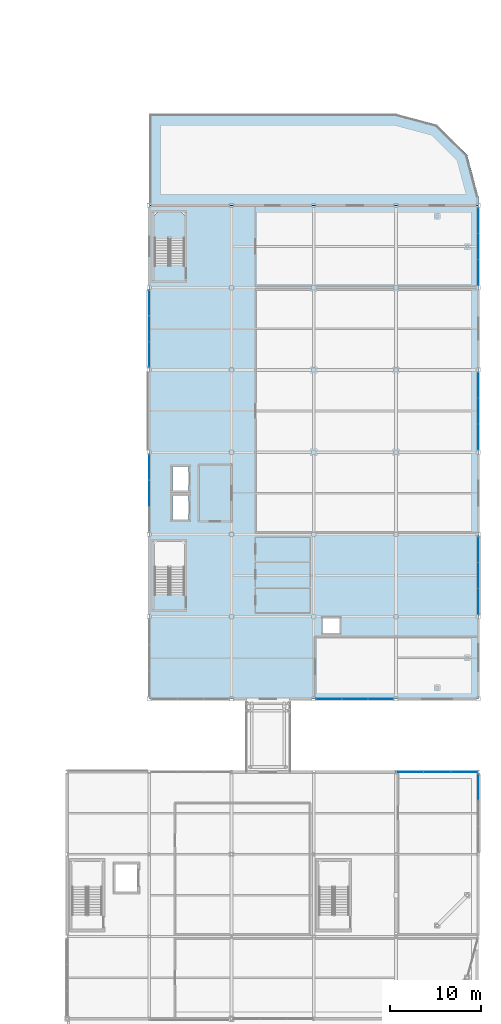
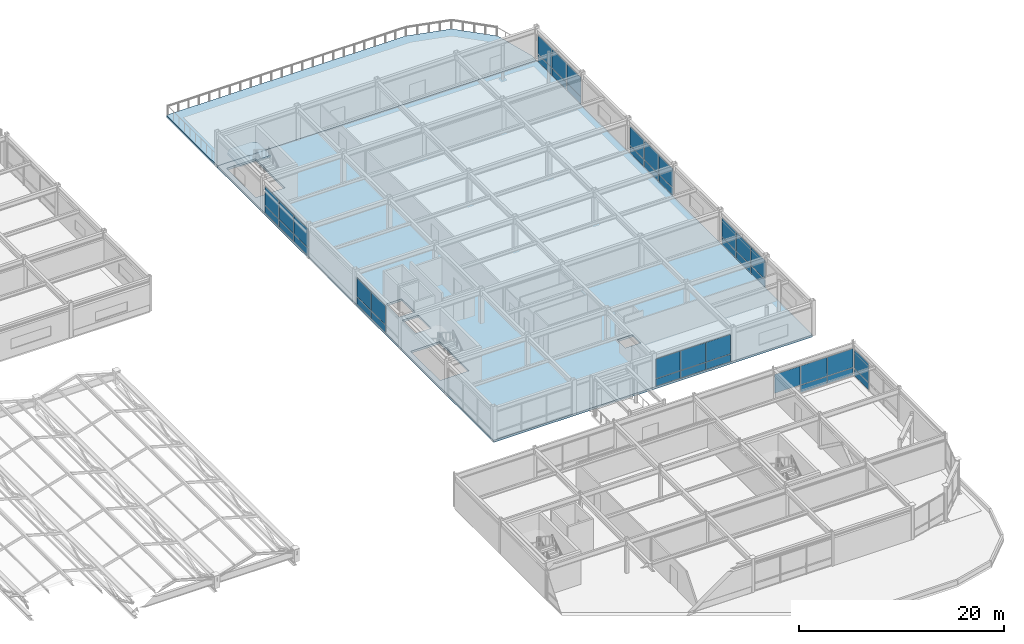
# One storey, part 68 of 108: 41 plates, 3 slabs, 9 elements without a shape of their own.
"""IFC4 building model written with IfcOpenShell, lengths in metres."""

import ifcopenshell
import ifcopenshell.guid

model = None  # the IFC model being written
_history = None  # IfcOwnerHistory: only IFC2X3 demands one
_inside = {}  # id of a spatial element -> (the spatial element, [elements in it])
_under = {}  # id of a project, library or spatial element -> (it, [spatial elements below it])
_declared = {}  # id of a project -> (the project, [libraries it declares])
_typed = {}  # id of a type object -> (the type object, [elements of that type])
_made_of = {}  # id of a material, layer set ... -> (it, [elements and type objects made of it])


def new_model(schema):
    """Start an empty IFC model of exactly this schema.

    Asked for "IFC4X3", IfcOpenShell would pick the latest addendum, in which some entities
    have other attributes; the version numbers below select the first issue.
    IFC2X3 requires an IfcOwnerHistory on every rooted entity: one is made here for all.
    """
    global model, _history
    if schema == "IFC4X3":
        model = ifcopenshell.file(schema_version=(4, 3, 0, 0))
    else:
        model = ifcopenshell.file(schema=schema)
    _inside.clear()
    _under.clear()
    _declared.clear()
    _typed.clear()
    _made_of.clear()
    _history = None
    if model.schema == "IFC2X3":
        org = make("IfcOrganization", Name="unknown")
        user = make(
            "IfcPersonAndOrganization",
            ThePerson=make("IfcPerson", FamilyName="unknown"),
            TheOrganization=org,
        )
        app = make(
            "IfcApplication",
            ApplicationDeveloper=org,
            Version="unknown",
            ApplicationFullName="unknown",
            ApplicationIdentifier="unknown",
        )
        _history = make(
            "IfcOwnerHistory",
            OwningUser=user,
            OwningApplication=app,
            ChangeAction="ADDED",
            CreationDate=0,
        )
    return model


def make(cls, **values):
    """One entity of the class cls with the attributes given. An attribute that is None is left unset."""
    return model.create_entity(
        cls, **{name: value for name, value in values.items() if value is not None}
    )


def rooted(cls, **values):
    """An entity with a GlobalId (a new one), such as an element, a storey or a relation."""
    return make(cls, GlobalId=ifcopenshell.guid.new(), OwnerHistory=_history, **values)


def si_unit(unit_type, name, prefix=None):
    """IfcSIUnit, for example si_unit("LENGTHUNIT", "METRE", prefix="MILLI")."""
    return make("IfcSIUnit", UnitType=unit_type, Prefix=prefix, Name=name)


def assignment(units):
    """IfcUnitAssignment: the units of a project."""
    return None if units is None else make("IfcUnitAssignment", Units=units)


def point(xyz):
    """IfcCartesianPoint."""
    return None if xyz is None else make("IfcCartesianPoint", Coordinates=xyz)


def direction(xyz):
    """IfcDirection."""
    return None if xyz is None else make("IfcDirection", DirectionRatios=xyz)


def frame(location, z_axis=None, x_axis=None):
    """IfcAxis2Placement3D, a coordinate frame: its origin and axes. An axis left out is left unset."""
    return make(
        "IfcAxis2Placement3D",
        Location=point(location),
        Axis=direction(z_axis),
        RefDirection=direction(x_axis),
    )


def frame_2d(location, x_axis=None):
    """IfcAxis2Placement2D, a coordinate frame in the plane: its origin and x axis."""
    return make(
        "IfcAxis2Placement2D", Location=point(location), RefDirection=direction(x_axis)
    )


def origin():
    """The frame at (0, 0, 0) with its axes left unset."""
    return frame((0.0, 0.0, 0.0))


def origin_2d():
    """The frame at (0, 0) in the plane with its x axis left unset."""
    return frame_2d((0.0, 0.0))


def place(relative_to, where):
    """IfcLocalPlacement: puts the frame where relative to a parent placement (None: the world)."""
    return make(
        "IfcLocalPlacement", PlacementRelTo=relative_to, RelativePlacement=where
    )


def context(
    kind, dimensions, precision=None, world=None, true_north=None, identifier=None
):
    """IfcGeometricRepresentationContext, for example the 3D "Model" context."""
    return make(
        "IfcGeometricRepresentationContext",
        ContextIdentifier=identifier,
        ContextType=kind,
        CoordinateSpaceDimension=dimensions,
        Precision=precision,
        WorldCoordinateSystem=world,
        TrueNorth=true_north,
    )


def subcontext(parent, identifier, kind, view, scale=None):
    """IfcGeometricRepresentationSubContext, for example "Body" below "Model"."""
    return make(
        "IfcGeometricRepresentationSubContext",
        ContextIdentifier=identifier,
        ContextType=kind,
        ParentContext=parent,
        TargetScale=scale,
        TargetView=view,
    )


def project(units=None, contexts=None):
    """IfcProject with its units and contexts."""
    return rooted(
        "IfcProject",
        Name="project",
        RepresentationContexts=contexts,
        UnitsInContext=assignment(units),
    )


def spatial(cls, under=None, at=None, **own):
    """A site, building, storey or space (cls), placed at a placement, below another one or the project."""
    s = rooted(cls, ObjectPlacement=at, **own)
    if under is not None:
        _under.setdefault(under.id(), (under, []))[1].append(s)
    return s


def polyline(points):
    """IfcPolyline through the points."""
    return make("IfcPolyline", Points=[point(p) for p in points])


def profile(cls, at=None, kind="AREA", **sizes):
    """A parametric profile (cls). Its sizes go by their IFC names, for example OverallWidth=200.0."""
    return make(cls, ProfileType=kind, Position=at, **sizes)


def rectangle(**sizes):
    """IfcRectangleProfileDef."""
    return profile("IfcRectangleProfileDef", **sizes)


def outline(outer, holes=None, kind="AREA"):
    """IfcArbitraryClosedProfileDef: a profile drawn as a closed curve; with holes, ...WithVoids."""
    if holes is None:
        return make("IfcArbitraryClosedProfileDef", ProfileType=kind, OuterCurve=outer)
    return make(
        "IfcArbitraryProfileDefWithVoids",
        ProfileType=kind,
        OuterCurve=outer,
        InnerCurves=holes,
    )


def extrude(swept, where, along, depth):
    """IfcExtrudedAreaSolid: the profile swept, set in the frame where, extruded along a direction by depth."""
    return make(
        "IfcExtrudedAreaSolid",
        SweptArea=swept,
        Position=where,
        ExtrudedDirection=direction(along),
        Depth=depth,
    )


def shape(context_of_items, identifier, shape_type, items):
    """IfcShapeRepresentation: the items that make up one representation, for example the "Body"."""
    return make(
        "IfcShapeRepresentation",
        ContextOfItems=context_of_items,
        RepresentationIdentifier=identifier,
        RepresentationType=shape_type,
        Items=items,
    )


def material(Name=None, Category=None):
    """IfcMaterial."""
    return make("IfcMaterial", Name=Name, Category=Category)


def layer(
    of_material, thickness, ventilated=None, Name=None, Category=None, Priority=None
):
    """IfcMaterialLayer: one layer of a wall or slab, of a material (None: an air gap)."""
    return make(
        "IfcMaterialLayer",
        Material=of_material,
        LayerThickness=thickness,
        IsVentilated=ventilated,
        Name=Name,
        Category=Category,
        Priority=Priority,
    )


def layer_set(layers, Name=None):
    """IfcMaterialLayerSet."""
    return make("IfcMaterialLayerSet", MaterialLayers=layers, LayerSetName=Name)


def made_of(thing, what):
    """Note that an element or type object is made of a material, layer set ...; save() writes the relation."""
    if what is not None:
        _made_of.setdefault(what.id(), (what, []))[1].append(thing)
    return thing


def type_object(cls, material=None, **own):
    """A type object (cls), such as IfcWallType, which elements share."""
    return made_of(rooted(cls, **own), material)


def element(
    cls,
    number,
    at=None,
    inside=None,
    cuts=None,
    type_object=None,
    material=None,
    context=None,
    identifier="Body",
    shape_type=None,
    held_by="IfcProductDefinitionShape",
    body=None,
    shapes=None,
    **own,
):
    """One element of the class cls, such as IfcWall. Its Tag is "e" and its number.

    at: its placement. inside: the storey or other place that contains it. cuts: it is an
    opening in that element (IfcRelVoidsElement). A single representation is given by context,
    identifier, shape_type and body (its items); several are given by shapes. held_by: the class
    of the entity that holds the representations. save() writes the other relations.
    """
    e = rooted(cls, Tag="e%d" % number, ObjectPlacement=at, **own)
    if body is not None:
        shapes = [shape(context, identifier, shape_type, body)]
    if shapes is not None:
        e.Representation = make(held_by, Representations=shapes)
    if inside is not None:
        _inside.setdefault(inside.id(), (inside, []))[1].append(e)
    if cuts is not None:
        rooted(
            "IfcRelVoidsElement", RelatingBuildingElement=cuts, RelatedOpeningElement=e
        )
    if type_object is not None:
        _typed.setdefault(type_object.id(), (type_object, []))[1].append(e)
    return made_of(e, material)


def aggregate(whole, parts):
    """IfcRelAggregates: a whole, such as a stair, and the parts it consists of."""
    return rooted("IfcRelAggregates", RelatingObject=whole, RelatedObjects=parts)


def save(model, path):
    """Write the relations noted so far, then the file.

    IfcRelAggregates (storeys below a building ...), IfcRelContainedInSpatialStructure (elements
    in a storey), IfcRelDefinesByType, IfcRelAssociatesMaterial and IfcRelDeclares: one each for
    every whole, place, type object, material and project.
    """
    for whole, parts in _under.values():
        aggregate(whole, parts)
    for where, things in _inside.values():
        rooted(
            "IfcRelContainedInSpatialStructure",
            RelatedElements=things,
            RelatingStructure=where,
        )
    for kind, things in _typed.values():
        rooted("IfcRelDefinesByType", RelatedObjects=things, RelatingType=kind)
    for what, things in _made_of.values():
        rooted("IfcRelAssociatesMaterial", RelatedObjects=things, RelatingMaterial=what)
    for by, libraries in _declared.values():
        rooted("IfcRelDeclares", RelatingContext=by, RelatedDefinitions=libraries)
    model.write(path)


model = new_model("IFC4")

# Units and contexts
model_context = context("Model", 3, precision=1e-05, world=origin(), true_north=direction((0.0, 1.0)))
body_context = subcontext(model_context, "Body", "Model", "MODEL_VIEW")
ifc_project = project(units=[si_unit("LENGTHUNIT", "METRE"), si_unit("AREAUNIT", "SQUARE_METRE"), si_unit("VOLUMEUNIT", "CUBIC_METRE"), si_unit("PLANEANGLEUNIT", "RADIAN"), si_unit("MASSUNIT", "GRAM", prefix="KILO")], contexts=[model_context])

# Site, building, storey
site_placement = place(None, origin())
site = spatial("IfcSite", under=ifc_project, at=site_placement, CompositionType="ELEMENT")
building_placement = place(site_placement, origin())
building = spatial("IfcBuilding", under=site, at=building_placement, Name="Suzunagisa Mobility Hub", CompositionType="ELEMENT")
storey_placement = place(building_placement, frame((0.0, 0.0, 9.300048828125)))
storey = spatial("IfcBuildingStorey", under=building, at=storey_placement, Name="L02", CompositionType="ELEMENT", Elevation=9.300048828125)

# Slabs
ifc_material_1 = material(Name="Concrete C35/45", Category="concrete")
ifc_layer_1 = layer(ifc_material_1, 0.25)
ifc_layer_set_1 = layer_set([ifc_layer_1], Name="Concrete C35/45")
slab_type_1 = type_object("IfcSlabType", Name="Composite Slab SL-13 250mm", PredefinedType="FLOOR", material=ifc_layer_set_1)
slab_1_placement = place(storey_placement, frame((0.0, 0.0, -0.25)))
element("IfcSlab", 1, at=slab_1_placement, inside=storey, type_object=slab_type_1, Name="L02 V6N Floor Slab", PredefinedType="FLOOR", context=body_context, shape_type="SweptSolid", body=[
    extrude(outline(polyline([(144.0, 44.0), (180.0, 44.0), (180.0, 98.0), (144.0, 98.0), (144.0, 44.0)]), holes=[polyline([(163.0, 51.199951171875), (164.800048828125, 51.199951171875), (164.800048828125, 52.800048828125), (163.0, 52.800048828125), (163.0, 51.199951171875)]), polyline([(144.56005859375, 55.47998046875), (147.840087890625, 55.47998046875), (147.840087890625, 61.199951171875), (144.56005859375, 61.199951171875), (144.56005859375, 55.47998046875)]), polyline([(146.52001953125, 63.6201171875), (148.280029296875, 63.6201171875), (148.280029296875, 66.179931640625), (146.52001953125, 66.179931640625), (146.52001953125, 63.6201171875)]), polyline([(146.52001953125, 66.820068359375), (148.280029296875, 66.820068359375), (148.280029296875, 69.3798828125), (146.52001953125, 69.3798828125), (146.52001953125, 66.820068359375)]), polyline([(144.56005859375, 91.47998046875), (147.840087890625, 91.47998046875), (147.840087890625, 97.199951171875), (144.56005859375, 97.199951171875), (144.56005859375, 91.47998046875)])]), origin(), (0.0, 0.0, 1.0), 0.25),
])
ifc_material_2 = material(Name="Concrete C30/37", Category="concrete")
ifc_layer_2 = layer(ifc_material_2, 0.260009765625)
ifc_layer_set_2 = layer_set([ifc_layer_2], Name="Concrete C30/37")
slab_type_2 = type_object("IfcSlabType", Name="Composite Slab SL-17 260mm", PredefinedType="ROOF", material=ifc_layer_set_2)
slab_2_placement = place(storey_placement, frame((0.0, 0.0, -0.260009765625)))
element("IfcSlab", 2, at=slab_2_placement, inside=storey, type_object=slab_type_2, Name="L02 V6N Roof Terrace Slab", PredefinedType="ROOF", context=body_context, shape_type="SweptSolid", body=[
    extrude(outline(polyline([(144.0, 98.0), (180.0, 98.0), (180.0, 99.0), (178.794189453125, 103.5), (175.5, 106.794189453125), (171.0, 108.0), (144.0, 108.0), (144.0, 98.0)])), origin(), (0.0, 0.0, 1.0), 0.260009765625),
])

# Stair, slab
stair_type = type_object("IfcStairType", Name="Dog-Leg Core Escape Stair ST-12 W1560", PredefinedType="HALF_TURN_STAIR", material=ifc_material_1)
stair_placement = place(storey_placement, origin())
stair = element("IfcStair", 3, at=stair_placement, inside=storey, type_object=stair_type, Name="L02 Core C5B Escape Stair ST-12", PredefinedType="HALF_TURN_STAIR")
ifc_layer_3 = layer(ifc_material_1, 0.199951171875)
ifc_layer_set_3 = layer_set([ifc_layer_3], Name="Concrete C35/45")
slab_type_3 = type_object("IfcSlabType", Name="Core Stair Half-Landing Slab SL-SLND", PredefinedType="LANDING", material=ifc_layer_set_3)
slab_3_placement = place(storey_placement, frame((0.0, 0.0, 1.89990234375)))
slab_3 = element("IfcSlab", 4, at=slab_3_placement, type_object=slab_type_3, Name="ST-12 landing 1", PredefinedType="LANDING", context=body_context, shape_type="SweptSolid", body=[
    extrude(outline(polyline([(144.4599609375, 94.360107421875), (147.93994140625, 94.360107421875), (147.93994140625, 96.820068359375), (147.4599609375, 97.300048828125), (144.93994140625, 97.300048828125), (144.4599609375, 96.820068359375), (144.4599609375, 94.360107421875)])), origin(), (0.0, 0.0, 1.0), 0.199951171875),
])
aggregate(stair, [slab_3])

# Curtain wall, plates
ifc_material_3 = material(Name="Thermally Broken Anodized Aluminum and Low-E Glazing", Category="aluminium")
curtain_wall_type_1 = type_object("IfcCurtainWallType", Name="Unitised Curtain Wall CW-12 8750x3300", PredefinedType="USERDEFINED", material=ifc_material_3)
curtain_wall_1_placement = place(storey_placement, origin())
curtain_wall_1 = element("IfcCurtainWall", 5, at=curtain_wall_1_placement, inside=storey, type_object=curtain_wall_type_1, Name="L02 Unitised Curtain Wall CW-159", ObjectType="UNITISED CURTAIN WALL", PredefinedType="USERDEFINED")
ifc_material_4 = material(Name="Low-E Solar-Control Double Glazing", Category="glass")
ifc_layer_4 = layer(ifc_material_4, 0.028076171875)
ifc_layer_set_4 = layer_set([ifc_layer_4], Name="Low-E Solar-Control Double Glazing")
plate_type = type_object("IfcPlateType", Name="Low-E Double Glazed Curtain Panel GP-01 28mm", PredefinedType="CURTAIN_PANEL", material=ifc_layer_set_4)
plate_1_placement = place(storey_placement, frame((180.0, 34.368408203125, 0.06298828125), z_axis=(0.0, 0.0, 1.0), x_axis=(0.0, 1.0, 0.0)))
plate_1 = element("IfcPlate", 6, at=plate_1_placement, type_object=plate_type, Name="Curtain Wall Glazing Panel 159-P3.1", PredefinedType="CURTAIN_PANEL", context=body_context, shape_type="SweptSolid", body=[
    extrude(rectangle(XDim=2.807373046875, YDim=0.028076171875, at=origin_2d()), origin(), (0.0, 0.0, 1.0), 0.8564453125),
])
plate_2_placement = place(storey_placement, frame((180.0, 34.368408203125, 0.98046875), z_axis=(0.0, 0.0, 1.0), x_axis=(0.0, 1.0, 0.0)))
plate_2 = element("IfcPlate", 7, at=plate_2_placement, type_object=plate_type, Name="Curtain Wall Glazing Panel 159-P3.2", PredefinedType="CURTAIN_PANEL", context=body_context, shape_type="SweptSolid", body=[
    extrude(rectangle(XDim=2.807373046875, YDim=0.028076171875, at=origin_2d()), origin(), (0.0, 0.0, 1.0), 2.24658203125),
])
aggregate(curtain_wall_1, [plate_1, plate_2])

curtain_wall_type_2 = type_object("IfcCurtainWallType", Name="Unitised Curtain Wall CW-11 9000x3300", PredefinedType="USERDEFINED", material=ifc_material_3)
curtain_wall_2_placement = place(storey_placement, origin())
curtain_wall_2 = element("IfcCurtainWall", 8, at=curtain_wall_2_placement, inside=storey, type_object=curtain_wall_type_2, Name="L02 Unitised Curtain Wall CW-160", ObjectType="UNITISED CURTAIN WALL", PredefinedType="USERDEFINED")
plate_3_placement = place(storey_placement, frame((178.48193359375, 36.0, 0.06298828125), z_axis=(0.0, 0.0, 1.0), x_axis=(-1.0, 0.0, 0.0)))
plate_3 = element("IfcPlate", 9, at=plate_3_placement, type_object=plate_type, Name="Curtain Wall Glazing Panel 160-P1.1", PredefinedType="CURTAIN_PANEL", context=body_context, shape_type="SweptSolid", body=[
    extrude(rectangle(XDim=2.910888671875, YDim=0.028076171875, at=origin_2d()), origin(), (0.0, 0.0, 1.0), 0.8564453125),
])
plate_4_placement = place(storey_placement, frame((178.48193359375, 36.0, 0.98046875), z_axis=(0.0, 0.0, 1.0), x_axis=(-1.0, 0.0, 0.0)))
plate_4 = element("IfcPlate", 10, at=plate_4_placement, type_object=plate_type, Name="Curtain Wall Glazing Panel 160-P1.2", PredefinedType="CURTAIN_PANEL", context=body_context, shape_type="SweptSolid", body=[
    extrude(rectangle(XDim=2.910888671875, YDim=0.028076171875, at=origin_2d()), origin(), (0.0, 0.0, 1.0), 2.24658203125),
])
plate_5_placement = place(storey_placement, frame((175.5, 36.0, 0.06298828125), z_axis=(0.0, 0.0, 1.0), x_axis=(-1.0, 0.0, 0.0)))
plate_5 = element("IfcPlate", 11, at=plate_5_placement, type_object=plate_type, Name="Curtain Wall Glazing Panel 160-P2.1", PredefinedType="CURTAIN_PANEL", context=body_context, shape_type="SweptSolid", body=[
    extrude(rectangle(XDim=2.94091796875, YDim=0.028076171875, at=origin_2d()), origin(), (0.0, 0.0, 1.0), 0.8564453125),
])
plate_6_placement = place(storey_placement, frame((175.5, 36.0, 0.98046875), z_axis=(0.0, 0.0, 1.0), x_axis=(-1.0, 0.0, 0.0)))
plate_6 = element("IfcPlate", 12, at=plate_6_placement, type_object=plate_type, Name="Curtain Wall Glazing Panel 160-P2.2", PredefinedType="CURTAIN_PANEL", context=body_context, shape_type="SweptSolid", body=[
    extrude(rectangle(XDim=2.94091796875, YDim=0.028076171875, at=origin_2d()), origin(), (0.0, 0.0, 1.0), 2.24658203125),
])
plate_7_placement = place(storey_placement, frame((172.51806640625, 36.0, 0.98046875), z_axis=(0.0, 0.0, 1.0), x_axis=(-1.0, 0.0, 0.0)))
plate_7 = element("IfcPlate", 13, at=plate_7_placement, type_object=plate_type, Name="Curtain Wall Glazing Panel 160-P3.2", PredefinedType="CURTAIN_PANEL", context=body_context, shape_type="SweptSolid", body=[
    extrude(rectangle(XDim=2.910888671875, YDim=0.028076171875, at=origin_2d()), origin(), (0.0, 0.0, 1.0), 2.24658203125),
])
aggregate(curtain_wall_2, [plate_3, plate_4, plate_5, plate_6, plate_7])

curtain_wall_type_3 = type_object("IfcCurtainWallType", Name="Unitised Curtain Wall CW-29 8500x3400", PredefinedType="USERDEFINED", material=ifc_material_3)
curtain_wall_3_placement = place(storey_placement, origin())
curtain_wall_3 = element("IfcCurtainWall", 14, at=curtain_wall_3_placement, inside=storey, type_object=curtain_wall_type_3, Name="L02 Unitised Curtain Wall CW-197", ObjectType="UNITISED CURTAIN WALL", PredefinedType="USERDEFINED")
plate_8_placement = place(storey_placement, frame((163.6650390625, 44.0, 0.06298828125), z_axis=(0.0, 0.0, 1.0), x_axis=(1.0, 0.0, 0.0)))
plate_8 = element("IfcPlate", 15, at=plate_8_placement, type_object=plate_type, Name="Curtain Wall Glazing Panel 197-P1.1", PredefinedType="CURTAIN_PANEL", context=body_context, shape_type="SweptSolid", body=[
    extrude(rectangle(XDim=2.763916015625, YDim=0.028076171875, at=origin_2d()), origin(), (0.0, 0.0, 1.0), 0.8564453125),
])
plate_9_placement = place(storey_placement, frame((163.6650390625, 44.0, 0.98046875), z_axis=(0.0, 0.0, 1.0), x_axis=(1.0, 0.0, 0.0)))
plate_9 = element("IfcPlate", 16, at=plate_9_placement, type_object=plate_type, Name="Curtain Wall Glazing Panel 197-P1.2", PredefinedType="CURTAIN_PANEL", context=body_context, shape_type="SweptSolid", body=[
    extrude(rectangle(XDim=2.763916015625, YDim=0.028076171875, at=origin_2d()), origin(), (0.0, 0.0, 1.0), 2.318603515625),
])
plate_10_placement = place(storey_placement, frame((166.5, 44.0, 0.06298828125), z_axis=(0.0, 0.0, 1.0), x_axis=(1.0, 0.0, 0.0)))
plate_10 = element("IfcPlate", 17, at=plate_10_placement, type_object=plate_type, Name="Curtain Wall Glazing Panel 197-P2.1", PredefinedType="CURTAIN_PANEL", context=body_context, shape_type="SweptSolid", body=[
    extrude(rectangle(XDim=2.7939453125, YDim=0.028076171875, at=origin_2d()), origin(), (0.0, 0.0, 1.0), 0.8564453125),
])
plate_11_placement = place(storey_placement, frame((166.5, 44.0, 0.98046875), z_axis=(0.0, 0.0, 1.0), x_axis=(1.0, 0.0, 0.0)))
plate_11 = element("IfcPlate", 18, at=plate_11_placement, type_object=plate_type, Name="Curtain Wall Glazing Panel 197-P2.2", PredefinedType="CURTAIN_PANEL", context=body_context, shape_type="SweptSolid", body=[
    extrude(rectangle(XDim=2.7939453125, YDim=0.028076171875, at=origin_2d()), origin(), (0.0, 0.0, 1.0), 2.318603515625),
])
plate_12_placement = place(storey_placement, frame((169.3349609375, 44.0, 0.06298828125), z_axis=(0.0, 0.0, 1.0), x_axis=(1.0, 0.0, 0.0)))
plate_12 = element("IfcPlate", 19, at=plate_12_placement, type_object=plate_type, Name="Curtain Wall Glazing Panel 197-P3.1", PredefinedType="CURTAIN_PANEL", context=body_context, shape_type="SweptSolid", body=[
    extrude(rectangle(XDim=2.763916015625, YDim=0.028076171875, at=origin_2d()), origin(), (0.0, 0.0, 1.0), 0.8564453125),
])
plate_13_placement = place(storey_placement, frame((169.3349609375, 44.0, 0.98046875), z_axis=(0.0, 0.0, 1.0), x_axis=(1.0, 0.0, 0.0)))
plate_13 = element("IfcPlate", 20, at=plate_13_placement, type_object=plate_type, Name="Curtain Wall Glazing Panel 197-P3.2", PredefinedType="CURTAIN_PANEL", context=body_context, shape_type="SweptSolid", body=[
    extrude(rectangle(XDim=2.763916015625, YDim=0.028076171875, at=origin_2d()), origin(), (0.0, 0.0, 1.0), 2.318603515625),
])
aggregate(curtain_wall_3, [plate_8, plate_9, plate_10, plate_11, plate_12, plate_13])

curtain_wall_type_4 = type_object("IfcCurtainWallType", Name="Unitised Curtain Wall CW-43 8500x3300", PredefinedType="USERDEFINED", material=ifc_material_3)
curtain_wall_4_placement = place(storey_placement, origin())
curtain_wall_4 = element("IfcCurtainWall", 21, at=curtain_wall_4_placement, inside=storey, type_object=curtain_wall_type_4, Name="L02 Unitised Curtain Wall CW-198", ObjectType="UNITISED CURTAIN WALL", PredefinedType="USERDEFINED")
plate_14_placement = place(storey_placement, frame((180.0, 54.6650390625, 0.06298828125), z_axis=(0.0, 0.0, 1.0), x_axis=(0.0, 1.0, 0.0)))
plate_14 = element("IfcPlate", 22, at=plate_14_placement, type_object=plate_type, Name="Curtain Wall Glazing Panel 198-P1.1", PredefinedType="CURTAIN_PANEL", context=body_context, shape_type="SweptSolid", body=[
    extrude(rectangle(XDim=2.763916015625, YDim=0.028076171875, at=origin_2d()), origin(), (0.0, 0.0, 1.0), 0.8564453125),
])
plate_15_placement = place(storey_placement, frame((180.0, 54.6650390625, 0.98046875), z_axis=(0.0, 0.0, 1.0), x_axis=(0.0, 1.0, 0.0)))
plate_15 = element("IfcPlate", 23, at=plate_15_placement, type_object=plate_type, Name="Curtain Wall Glazing Panel 198-P1.2", PredefinedType="CURTAIN_PANEL", context=body_context, shape_type="SweptSolid", body=[
    extrude(rectangle(XDim=2.763916015625, YDim=0.028076171875, at=origin_2d()), origin(), (0.0, 0.0, 1.0), 2.256591796875),
])
plate_16_placement = place(storey_placement, frame((180.0, 57.5, 0.06298828125), z_axis=(0.0, 0.0, 1.0), x_axis=(0.0, 1.0, 0.0)))
plate_16 = element("IfcPlate", 24, at=plate_16_placement, type_object=plate_type, Name="Curtain Wall Glazing Panel 198-P2.1", PredefinedType="CURTAIN_PANEL", context=body_context, shape_type="SweptSolid", body=[
    extrude(rectangle(XDim=2.7939453125, YDim=0.028076171875, at=origin_2d()), origin(), (0.0, 0.0, 1.0), 0.8564453125),
])
plate_17_placement = place(storey_placement, frame((180.0, 57.5, 0.98046875), z_axis=(0.0, 0.0, 1.0), x_axis=(0.0, 1.0, 0.0)))
plate_17 = element("IfcPlate", 25, at=plate_17_placement, type_object=plate_type, Name="Curtain Wall Glazing Panel 198-P2.2", PredefinedType="CURTAIN_PANEL", context=body_context, shape_type="SweptSolid", body=[
    extrude(rectangle(XDim=2.7939453125, YDim=0.028076171875, at=origin_2d()), origin(), (0.0, 0.0, 1.0), 2.256591796875),
])
plate_18_placement = place(storey_placement, frame((180.0, 60.3349609375, 0.06298828125), z_axis=(0.0, 0.0, 1.0), x_axis=(0.0, 1.0, 0.0)))
plate_18 = element("IfcPlate", 26, at=plate_18_placement, type_object=plate_type, Name="Curtain Wall Glazing Panel 198-P3.1", PredefinedType="CURTAIN_PANEL", context=body_context, shape_type="SweptSolid", body=[
    extrude(rectangle(XDim=2.763916015625, YDim=0.028076171875, at=origin_2d()), origin(), (0.0, 0.0, 1.0), 0.8564453125),
])
plate_19_placement = place(storey_placement, frame((180.0, 60.3349609375, 0.98046875), z_axis=(0.0, 0.0, 1.0), x_axis=(0.0, 1.0, 0.0)))
plate_19 = element("IfcPlate", 27, at=plate_19_placement, type_object=plate_type, Name="Curtain Wall Glazing Panel 198-P3.2", PredefinedType="CURTAIN_PANEL", context=body_context, shape_type="SweptSolid", body=[
    extrude(rectangle(XDim=2.763916015625, YDim=0.028076171875, at=origin_2d()), origin(), (0.0, 0.0, 1.0), 2.256591796875),
])
aggregate(curtain_wall_4, [plate_14, plate_15, plate_16, plate_17, plate_18, plate_19])

curtain_wall_5_placement = place(storey_placement, origin())
curtain_wall_5 = element("IfcCurtainWall", 28, at=curtain_wall_5_placement, inside=storey, type_object=curtain_wall_type_4, Name="L02 Unitised Curtain Wall CW-199", ObjectType="UNITISED CURTAIN WALL", PredefinedType="USERDEFINED")
plate_20_placement = place(storey_placement, frame((180.0, 72.6650390625, 0.06298828125), z_axis=(0.0, 0.0, 1.0), x_axis=(0.0, 1.0, 0.0)))
plate_20 = element("IfcPlate", 29, at=plate_20_placement, type_object=plate_type, Name="Curtain Wall Glazing Panel 199-P1.1", PredefinedType="CURTAIN_PANEL", context=body_context, shape_type="SweptSolid", body=[
    extrude(rectangle(XDim=2.763916015625, YDim=0.028076171875, at=origin_2d()), origin(), (0.0, 0.0, 1.0), 0.8564453125),
])
plate_21_placement = place(storey_placement, frame((180.0, 72.6650390625, 0.98046875), z_axis=(0.0, 0.0, 1.0), x_axis=(0.0, 1.0, 0.0)))
plate_21 = element("IfcPlate", 30, at=plate_21_placement, type_object=plate_type, Name="Curtain Wall Glazing Panel 199-P1.2", PredefinedType="CURTAIN_PANEL", context=body_context, shape_type="SweptSolid", body=[
    extrude(rectangle(XDim=2.763916015625, YDim=0.028076171875, at=origin_2d()), origin(), (0.0, 0.0, 1.0), 2.256591796875),
])
plate_22_placement = place(storey_placement, frame((180.0, 75.5, 0.06298828125), z_axis=(0.0, 0.0, 1.0), x_axis=(0.0, 1.0, 0.0)))
plate_22 = element("IfcPlate", 31, at=plate_22_placement, type_object=plate_type, Name="Curtain Wall Glazing Panel 199-P2.1", PredefinedType="CURTAIN_PANEL", context=body_context, shape_type="SweptSolid", body=[
    extrude(rectangle(XDim=2.7939453125, YDim=0.028076171875, at=origin_2d()), origin(), (0.0, 0.0, 1.0), 0.8564453125),
])
plate_23_placement = place(storey_placement, frame((180.0, 75.5, 0.98046875), z_axis=(0.0, 0.0, 1.0), x_axis=(0.0, 1.0, 0.0)))
plate_23 = element("IfcPlate", 32, at=plate_23_placement, type_object=plate_type, Name="Curtain Wall Glazing Panel 199-P2.2", PredefinedType="CURTAIN_PANEL", context=body_context, shape_type="SweptSolid", body=[
    extrude(rectangle(XDim=2.7939453125, YDim=0.028076171875, at=origin_2d()), origin(), (0.0, 0.0, 1.0), 2.256591796875),
])
plate_24_placement = place(storey_placement, frame((180.0, 78.3349609375, 0.06298828125), z_axis=(0.0, 0.0, 1.0), x_axis=(0.0, 1.0, 0.0)))
plate_24 = element("IfcPlate", 33, at=plate_24_placement, type_object=plate_type, Name="Curtain Wall Glazing Panel 199-P3.1", PredefinedType="CURTAIN_PANEL", context=body_context, shape_type="SweptSolid", body=[
    extrude(rectangle(XDim=2.763916015625, YDim=0.028076171875, at=origin_2d()), origin(), (0.0, 0.0, 1.0), 0.8564453125),
])
plate_25_placement = place(storey_placement, frame((180.0, 78.3349609375, 0.98046875), z_axis=(0.0, 0.0, 1.0), x_axis=(0.0, 1.0, 0.0)))
plate_25 = element("IfcPlate", 34, at=plate_25_placement, type_object=plate_type, Name="Curtain Wall Glazing Panel 199-P3.2", PredefinedType="CURTAIN_PANEL", context=body_context, shape_type="SweptSolid", body=[
    extrude(rectangle(XDim=2.763916015625, YDim=0.028076171875, at=origin_2d()), origin(), (0.0, 0.0, 1.0), 2.256591796875),
])
aggregate(curtain_wall_5, [plate_20, plate_21, plate_22, plate_23, plate_24, plate_25])

curtain_wall_6_placement = place(storey_placement, origin())
curtain_wall_6 = element("IfcCurtainWall", 35, at=curtain_wall_6_placement, inside=storey, type_object=curtain_wall_type_4, Name="L02 Unitised Curtain Wall CW-200", ObjectType="UNITISED CURTAIN WALL", PredefinedType="USERDEFINED")
plate_26_placement = place(storey_placement, frame((180.0, 90.6650390625, 0.06298828125), z_axis=(0.0, 0.0, 1.0), x_axis=(0.0, 1.0, 0.0)))
plate_26 = element("IfcPlate", 36, at=plate_26_placement, type_object=plate_type, Name="Curtain Wall Glazing Panel 200-P1.1", PredefinedType="CURTAIN_PANEL", context=body_context, shape_type="SweptSolid", body=[
    extrude(rectangle(XDim=2.763916015625, YDim=0.028076171875, at=origin_2d()), origin(), (0.0, 0.0, 1.0), 0.8564453125),
])
plate_27_placement = place(storey_placement, frame((180.0, 90.6650390625, 0.98046875), z_axis=(0.0, 0.0, 1.0), x_axis=(0.0, 1.0, 0.0)))
plate_27 = element("IfcPlate", 37, at=plate_27_placement, type_object=plate_type, Name="Curtain Wall Glazing Panel 200-P1.2", PredefinedType="CURTAIN_PANEL", context=body_context, shape_type="SweptSolid", body=[
    extrude(rectangle(XDim=2.763916015625, YDim=0.028076171875, at=origin_2d()), origin(), (0.0, 0.0, 1.0), 2.256591796875),
])
plate_28_placement = place(storey_placement, frame((180.0, 93.5, 0.06298828125), z_axis=(0.0, 0.0, 1.0), x_axis=(0.0, 1.0, 0.0)))
plate_28 = element("IfcPlate", 38, at=plate_28_placement, type_object=plate_type, Name="Curtain Wall Glazing Panel 200-P2.1", PredefinedType="CURTAIN_PANEL", context=body_context, shape_type="SweptSolid", body=[
    extrude(rectangle(XDim=2.7939453125, YDim=0.028076171875, at=origin_2d()), origin(), (0.0, 0.0, 1.0), 0.8564453125),
])
plate_29_placement = place(storey_placement, frame((180.0, 93.5, 0.98046875), z_axis=(0.0, 0.0, 1.0), x_axis=(0.0, 1.0, 0.0)))
plate_29 = element("IfcPlate", 39, at=plate_29_placement, type_object=plate_type, Name="Curtain Wall Glazing Panel 200-P2.2", PredefinedType="CURTAIN_PANEL", context=body_context, shape_type="SweptSolid", body=[
    extrude(rectangle(XDim=2.7939453125, YDim=0.028076171875, at=origin_2d()), origin(), (0.0, 0.0, 1.0), 2.256591796875),
])
plate_30_placement = place(storey_placement, frame((180.0, 96.3349609375, 0.06298828125), z_axis=(0.0, 0.0, 1.0), x_axis=(0.0, 1.0, 0.0)))
plate_30 = element("IfcPlate", 40, at=plate_30_placement, type_object=plate_type, Name="Curtain Wall Glazing Panel 200-P3.1", PredefinedType="CURTAIN_PANEL", context=body_context, shape_type="SweptSolid", body=[
    extrude(rectangle(XDim=2.763916015625, YDim=0.028076171875, at=origin_2d()), origin(), (0.0, 0.0, 1.0), 0.8564453125),
])
plate_31_placement = place(storey_placement, frame((180.0, 96.3349609375, 0.98046875), z_axis=(0.0, 0.0, 1.0), x_axis=(0.0, 1.0, 0.0)))
plate_31 = element("IfcPlate", 41, at=plate_31_placement, type_object=plate_type, Name="Curtain Wall Glazing Panel 200-P3.2", PredefinedType="CURTAIN_PANEL", context=body_context, shape_type="SweptSolid", body=[
    extrude(rectangle(XDim=2.763916015625, YDim=0.028076171875, at=origin_2d()), origin(), (0.0, 0.0, 1.0), 2.256591796875),
])
aggregate(curtain_wall_6, [plate_26, plate_27, plate_28, plate_29, plate_30, plate_31])

curtain_wall_7_placement = place(storey_placement, origin())
curtain_wall_7 = element("IfcCurtainWall", 42, at=curtain_wall_7_placement, inside=storey, type_object=curtain_wall_type_4, Name="L02 Unitised Curtain Wall CW-201", ObjectType="UNITISED CURTAIN WALL", PredefinedType="USERDEFINED")
plate_32_placement = place(storey_placement, frame((144.0, 87.3349609375, 0.06298828125), z_axis=(0.0, 0.0, 1.0), x_axis=(0.0, -1.0, 0.0)))
plate_32 = element("IfcPlate", 43, at=plate_32_placement, type_object=plate_type, Name="Curtain Wall Glazing Panel 201-P1.1", PredefinedType="CURTAIN_PANEL", context=body_context, shape_type="SweptSolid", body=[
    extrude(rectangle(XDim=2.763916015625, YDim=0.028076171875, at=origin_2d()), origin(), (0.0, 0.0, 1.0), 0.8564453125),
])
plate_33_placement = place(storey_placement, frame((144.0, 87.3349609375, 0.98046875), z_axis=(0.0, 0.0, 1.0), x_axis=(0.0, -1.0, 0.0)))
plate_33 = element("IfcPlate", 44, at=plate_33_placement, type_object=plate_type, Name="Curtain Wall Glazing Panel 201-P1.2", PredefinedType="CURTAIN_PANEL", context=body_context, shape_type="SweptSolid", body=[
    extrude(rectangle(XDim=2.763916015625, YDim=0.028076171875, at=origin_2d()), origin(), (0.0, 0.0, 1.0), 2.256591796875),
])
plate_34_placement = place(storey_placement, frame((144.0, 84.5, 0.06298828125), z_axis=(0.0, 0.0, 1.0), x_axis=(0.0, -1.0, 0.0)))
plate_34 = element("IfcPlate", 45, at=plate_34_placement, type_object=plate_type, Name="Curtain Wall Glazing Panel 201-P2.1", PredefinedType="CURTAIN_PANEL", context=body_context, shape_type="SweptSolid", body=[
    extrude(rectangle(XDim=2.7939453125, YDim=0.028076171875, at=origin_2d()), origin(), (0.0, 0.0, 1.0), 0.8564453125),
])
plate_35_placement = place(storey_placement, frame((144.0, 84.5, 0.98046875), z_axis=(0.0, 0.0, 1.0), x_axis=(0.0, -1.0, 0.0)))
plate_35 = element("IfcPlate", 46, at=plate_35_placement, type_object=plate_type, Name="Curtain Wall Glazing Panel 201-P2.2", PredefinedType="CURTAIN_PANEL", context=body_context, shape_type="SweptSolid", body=[
    extrude(rectangle(XDim=2.7939453125, YDim=0.028076171875, at=origin_2d()), origin(), (0.0, 0.0, 1.0), 2.256591796875),
])
plate_36_placement = place(storey_placement, frame((144.0, 81.6650390625, 0.06298828125), z_axis=(0.0, 0.0, 1.0), x_axis=(0.0, -1.0, 0.0)))
plate_36 = element("IfcPlate", 47, at=plate_36_placement, type_object=plate_type, Name="Curtain Wall Glazing Panel 201-P3.1", PredefinedType="CURTAIN_PANEL", context=body_context, shape_type="SweptSolid", body=[
    extrude(rectangle(XDim=2.763916015625, YDim=0.028076171875, at=origin_2d()), origin(), (0.0, 0.0, 1.0), 0.8564453125),
])
plate_37_placement = place(storey_placement, frame((144.0, 81.6650390625, 0.98046875), z_axis=(0.0, 0.0, 1.0), x_axis=(0.0, -1.0, 0.0)))
plate_37 = element("IfcPlate", 48, at=plate_37_placement, type_object=plate_type, Name="Curtain Wall Glazing Panel 201-P3.2", PredefinedType="CURTAIN_PANEL", context=body_context, shape_type="SweptSolid", body=[
    extrude(rectangle(XDim=2.763916015625, YDim=0.028076171875, at=origin_2d()), origin(), (0.0, 0.0, 1.0), 2.256591796875),
])
aggregate(curtain_wall_7, [plate_32, plate_33, plate_34, plate_35, plate_36, plate_37])

curtain_wall_8_placement = place(storey_placement, origin())
curtain_wall_8 = element("IfcCurtainWall", 49, at=curtain_wall_8_placement, inside=storey, type_object=curtain_wall_type_4, Name="L02 Unitised Curtain Wall CW-202", ObjectType="UNITISED CURTAIN WALL", PredefinedType="USERDEFINED")
plate_38_placement = place(storey_placement, frame((144.0, 69.3349609375, 0.06298828125), z_axis=(0.0, 0.0, 1.0), x_axis=(0.0, -1.0, 0.0)))
plate_38 = element("IfcPlate", 50, at=plate_38_placement, type_object=plate_type, Name="Curtain Wall Glazing Panel 202-P1.1", PredefinedType="CURTAIN_PANEL", context=body_context, shape_type="SweptSolid", body=[
    extrude(rectangle(XDim=2.763916015625, YDim=0.028076171875, at=origin_2d()), origin(), (0.0, 0.0, 1.0), 0.8564453125),
])
plate_39_placement = place(storey_placement, frame((144.0, 69.3349609375, 0.98046875), z_axis=(0.0, 0.0, 1.0), x_axis=(0.0, -1.0, 0.0)))
plate_39 = element("IfcPlate", 51, at=plate_39_placement, type_object=plate_type, Name="Curtain Wall Glazing Panel 202-P1.2", PredefinedType="CURTAIN_PANEL", context=body_context, shape_type="SweptSolid", body=[
    extrude(rectangle(XDim=2.763916015625, YDim=0.028076171875, at=origin_2d()), origin(), (0.0, 0.0, 1.0), 2.256591796875),
])
plate_40_placement = place(storey_placement, frame((144.0, 66.5, 0.06298828125), z_axis=(0.0, 0.0, 1.0), x_axis=(0.0, -1.0, 0.0)))
plate_40 = element("IfcPlate", 52, at=plate_40_placement, type_object=plate_type, Name="Curtain Wall Glazing Panel 202-P2.1", PredefinedType="CURTAIN_PANEL", context=body_context, shape_type="SweptSolid", body=[
    extrude(rectangle(XDim=2.7939453125, YDim=0.028076171875, at=origin_2d()), origin(), (0.0, 0.0, 1.0), 0.8564453125),
])
plate_41_placement = place(storey_placement, frame((144.0, 66.5, 0.98046875), z_axis=(0.0, 0.0, 1.0), x_axis=(0.0, -1.0, 0.0)))
plate_41 = element("IfcPlate", 53, at=plate_41_placement, type_object=plate_type, Name="Curtain Wall Glazing Panel 202-P2.2", PredefinedType="CURTAIN_PANEL", context=body_context, shape_type="SweptSolid", body=[
    extrude(rectangle(XDim=2.7939453125, YDim=0.028076171875, at=origin_2d()), origin(), (0.0, 0.0, 1.0), 2.256591796875),
])
aggregate(curtain_wall_8, [plate_38, plate_39, plate_40, plate_41])

save(model, "model.ifc")
